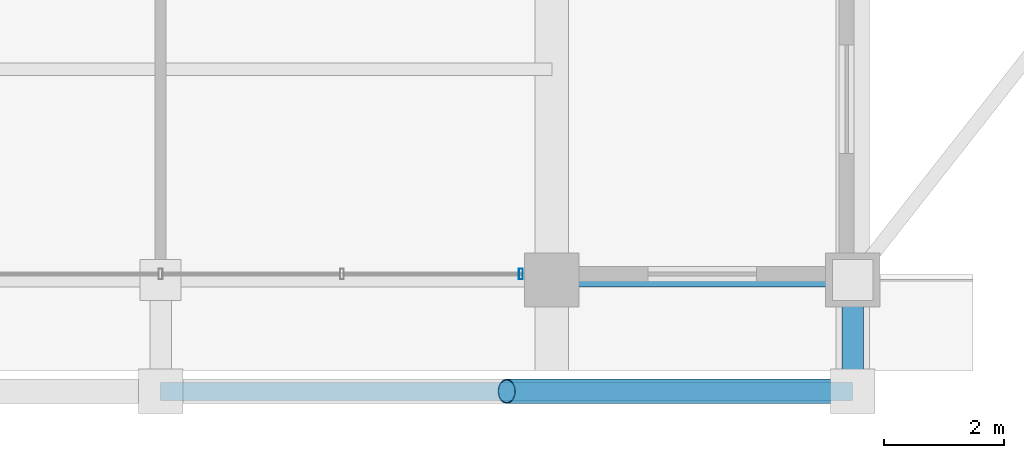
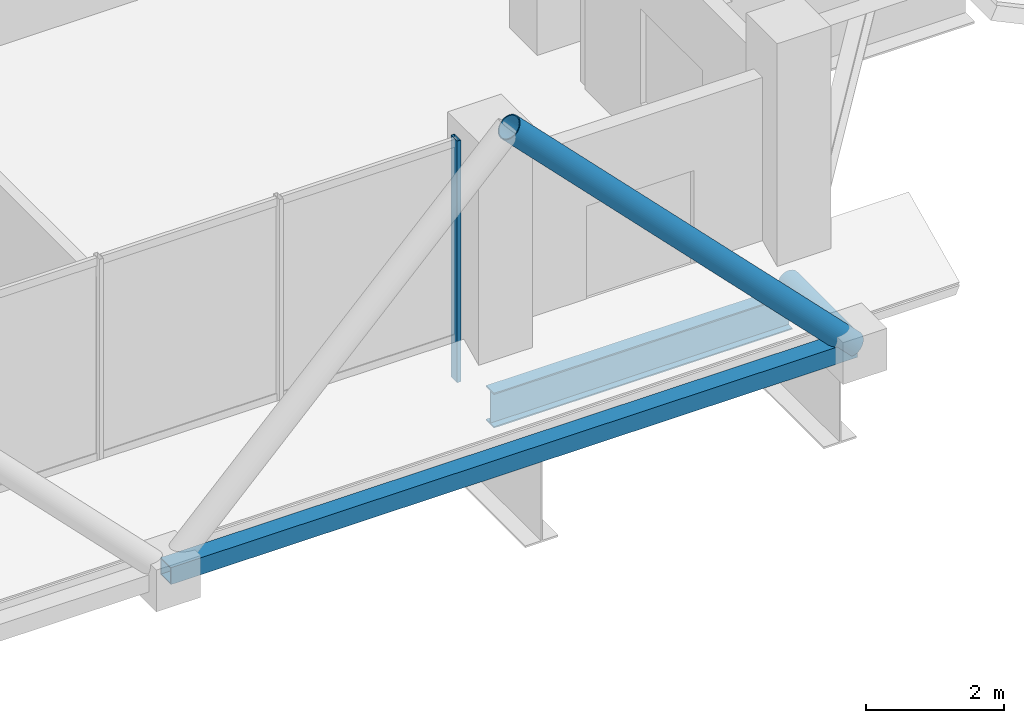
# One storey, part 7 of 27: 4 members, 1 beam, 1 element without a shape of its own.
"""IFC4 building model written with IfcOpenShell, lengths in metres."""

from ifc_helpers import new_model, si_unit, direction, frame, origin, origin_2d, place, context, subcontext, project, spatial, hollow_rectangle, hollow_circle, i_section, extrude, material, layer, layer_set, material_profile, profile_set, type_object, element, aggregate, save


model = new_model("IFC4")

# Units and contexts
model_context = context("Model", 3, precision=1e-05, world=origin(), true_north=direction((0.0, 1.0)))
body_context = subcontext(model_context, "Body", "Model", "MODEL_VIEW")
ifc_project = project(units=[si_unit("LENGTHUNIT", "METRE"), si_unit("AREAUNIT", "SQUARE_METRE"), si_unit("VOLUMEUNIT", "CUBIC_METRE"), si_unit("PLANEANGLEUNIT", "RADIAN"), si_unit("MASSUNIT", "GRAM", prefix="KILO")], contexts=[model_context])

# Site, building, storey
site_placement = place(None, origin())
site = spatial("IfcSite", under=ifc_project, at=site_placement, CompositionType="ELEMENT")
building_placement = place(site_placement, origin())
building = spatial("IfcBuilding", under=site, at=building_placement, Name="Barlavira Tower and Art Museum", CompositionType="ELEMENT")
storey_placement = place(building_placement, frame((0.0, 0.0, 217.800048828125)))
storey = spatial("IfcBuildingStorey", under=building, at=storey_placement, Name="L56", CompositionType="ELEMENT", Elevation=217.800048828125)

# Curtain wall, member
ifc_material_1 = material(Name="Low-iron coastal laminated glass", Category="glass")
ifc_layer = layer(ifc_material_1, 0.2099609375, Name="Low-iron coastal laminated glass")
ifc_layer_set = layer_set([ifc_layer], Name="Low-iron coastal laminated glass")
curtain_wall_type = type_object("IfcCurtainWallType", Name="Pale-Metal Unitised Curtain Wall Zone 4", PredefinedType="NOTDEFINED", material=ifc_layer_set)
curtain_wall_placement = place(storey_placement, origin())
curtain_wall = element("IfcCurtainWall", 1, at=curtain_wall_placement, inside=storey, type_object=curtain_wall_type, Name="L56 Curtain Wall CW4-L56-S-B2", PredefinedType="NOTDEFINED")
ifc_material_2 = material(Name="Pale anodised aluminium", Category="aluminium")
ifc_material_profile_1 = material_profile(ifc_material_2, hollow_rectangle(XDim=0.06494140625, YDim=0.179931640625, WallThickness=0.00390625, at=origin_2d()), Name="ALU-MULL 65x180x4")
ifc_profile_set_1 = profile_set([ifc_material_profile_1], Name="Pale anodised aluminium")
member_type_1 = type_object("IfcMemberType", Name="Curtain Wall Pale-Metal Mullion 65x180", PredefinedType="MULLION", material=ifc_profile_set_1)
member_1_placement = place(storey_placement, frame((5.985107421875, -19.89990234375, 0.0), z_axis=(0.0, 0.0, 1.0), x_axis=(1.0, 0.0, 0.0)))
member_1 = element("IfcMember", 2, at=member_1_placement, type_object=member_type_1, Name="CW4-L56-S-B2 Mullion 4", PredefinedType="MULLION", context=body_context, shape_type="SweptSolid", body=[
    extrude(hollow_rectangle(XDim=0.06494140625, YDim=0.179931640625, WallThickness=0.00390625, at=origin_2d()), origin(), (0.0, 0.0, 1.0), 4.280029296875),
])
aggregate(curtain_wall, [member_1])

# Members
ifc_material_3 = material(Name="Steel S355", Category="steel")
ifc_material_profile_2 = material_profile(ifc_material_3, hollow_circle(Radius=0.203125, WallThickness=0.01611328125, at=origin_2d()), Name="CHS 406.4x16.0")
ifc_profile_set_2 = profile_set([ifc_material_profile_2], Name="Steel S355")
member_type_2 = type_object("IfcMemberType", Name="Pale-Metal Exoskeleton Diagrid Tube CHS 406x16 Steel S355", PredefinedType="BRACE", material=ifc_profile_set_2)
member_2_placement = place(storey_placement, frame((11.5, -21.85009765625, -0.1201171875), z_axis=(-0.700979034508, 0.0, 0.713181879453), x_axis=(0.0, -1.0, 0.0)))
element("IfcMember", 3, at=member_2_placement, inside=storey, type_object=member_type_2, Name="L56 Exoskeleton Diagrid Tube S", PredefinedType="BRACE", context=body_context, shape_type="SweptSolid", body=[
    extrude(hollow_circle(Radius=0.203125, WallThickness=0.01611328125, at=origin_2d()), origin(), (0.0, 0.0, 1.0), 8.202880859375),
])
ifc_material_profile_3 = material_profile(ifc_material_3, hollow_circle(Radius=0.177734375, WallThickness=0.01611328125, at=origin_2d()), Name="CHS 355.6x16.0")
ifc_profile_set_3 = profile_set([ifc_material_profile_3], Name="Steel S355")
member_type_3 = type_object("IfcMemberType", Name="Pale-Metal Exoskeleton Tie Strut CHS 356x16 Steel S355", PredefinedType="STRUT", material=ifc_profile_set_3)
member_3_placement = place(storey_placement, frame((11.5, -21.85009765625, -0.1201171875), z_axis=(0.0, 1.0, 0.0), x_axis=(-1.0, 0.0, 0.0)))
element("IfcMember", 4, at=member_3_placement, inside=storey, type_object=member_type_3, Name="L56 Exoskeleton Tie Strut S3", PredefinedType="STRUT", context=body_context, shape_type="SweptSolid", body=[
    extrude(hollow_circle(Radius=0.177734375, WallThickness=0.01611328125, at=origin_2d()), origin(), (0.0, 0.0, 1.0), 1.85009765625),
])
ifc_material_profile_4 = material_profile(ifc_material_3, hollow_rectangle(XDim=0.300048828125, YDim=0.300048828125, WallThickness=0.01611328125, at=origin_2d()), Name="SHS 300x300x16.0")
ifc_profile_set_4 = profile_set([ifc_material_profile_4], Name="Steel S355")
member_type_4 = type_object("IfcMemberType", Name="Pale-Metal Upper Ring Strut SHS 300x300x16 Steel S355", PredefinedType="STRUT", material=ifc_profile_set_4)
member_4_placement = place(storey_placement, frame((0.0, -21.85009765625, -0.1201171875), z_axis=(1.0, 0.0, 0.0), x_axis=(0.0, 1.0, 0.0)))
element("IfcMember", 5, at=member_4_placement, inside=storey, type_object=member_type_4, Name="L56 Exoskeleton Ring Strut S", PredefinedType="STRUT", context=body_context, shape_type="SweptSolid", body=[
    extrude(hollow_rectangle(XDim=0.300048828125, YDim=0.300048828125, WallThickness=0.01611328125, at=origin_2d()), origin(), (0.0, 0.0, 1.0), 11.5),
])

# Beam
ifc_material_profile_5 = material_profile(ifc_material_3, i_section(OverallWidth=0.22998046875, OverallDepth=0.616943359375, WebThickness=0.01318359375, FlangeThickness=0.022216796875, at=origin_2d()), Name="W610x140.0")
ifc_profile_set_5 = profile_set([ifc_material_profile_5], Name="Steel S355")
beam_type = type_object("IfcBeamType", Name="Upper Shaft Spandrel Edge Beam W610x140 Steel S355", PredefinedType="SPANDREL", material=ifc_profile_set_5)
beam_placement = place(storey_placement, frame((6.5, -20.0, -0.608642578125), z_axis=(1.0, 0.0, 0.0), x_axis=(0.0, 1.0, 0.0)))
element("IfcBeam", 6, at=beam_placement, inside=storey, type_object=beam_type, Name="L56 Spandrel 3", PredefinedType="SPANDREL", context=body_context, shape_type="SweptSolid", body=[
    extrude(i_section(OverallWidth=0.22998046875, OverallDepth=0.616943359375, WebThickness=0.01318359375, FlangeThickness=0.022216796875, at=origin_2d()), origin(), (0.0, 0.0, 1.0), 5.0),
])

save(model, "model.ifc")
